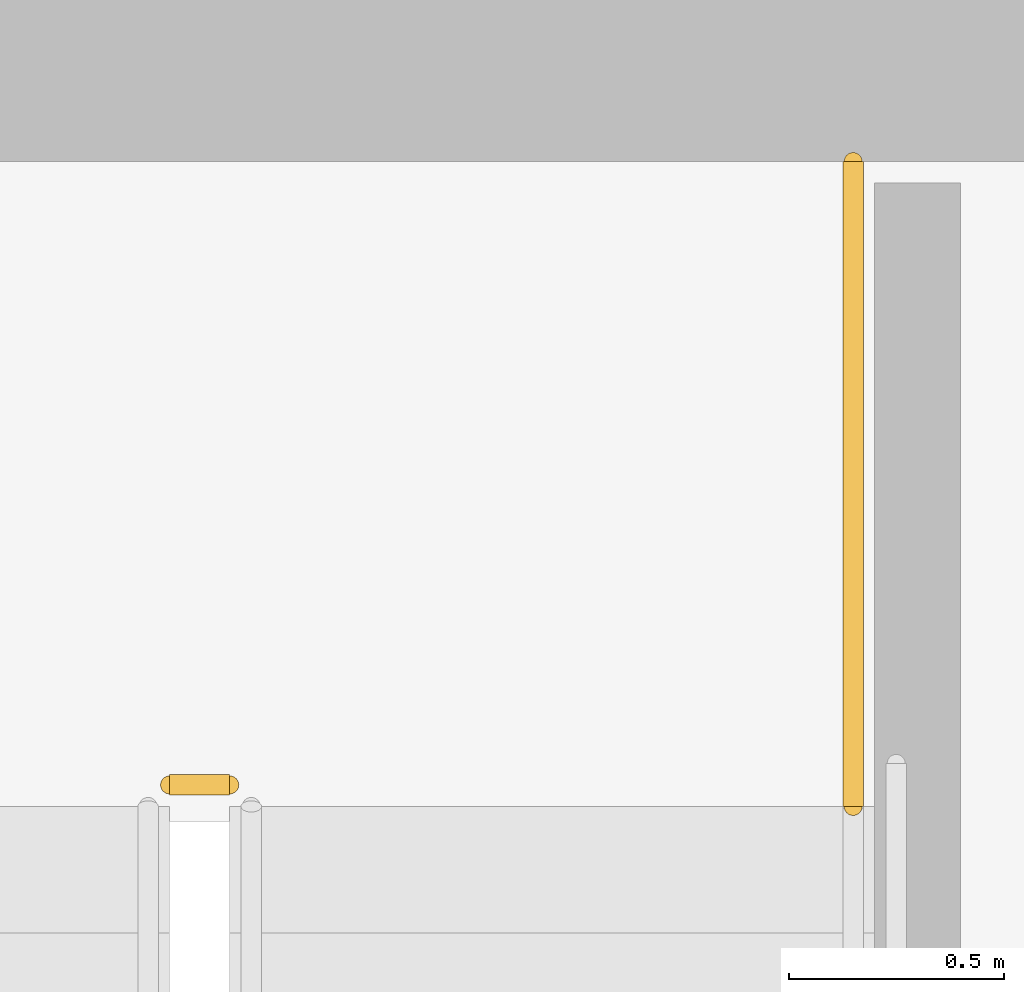
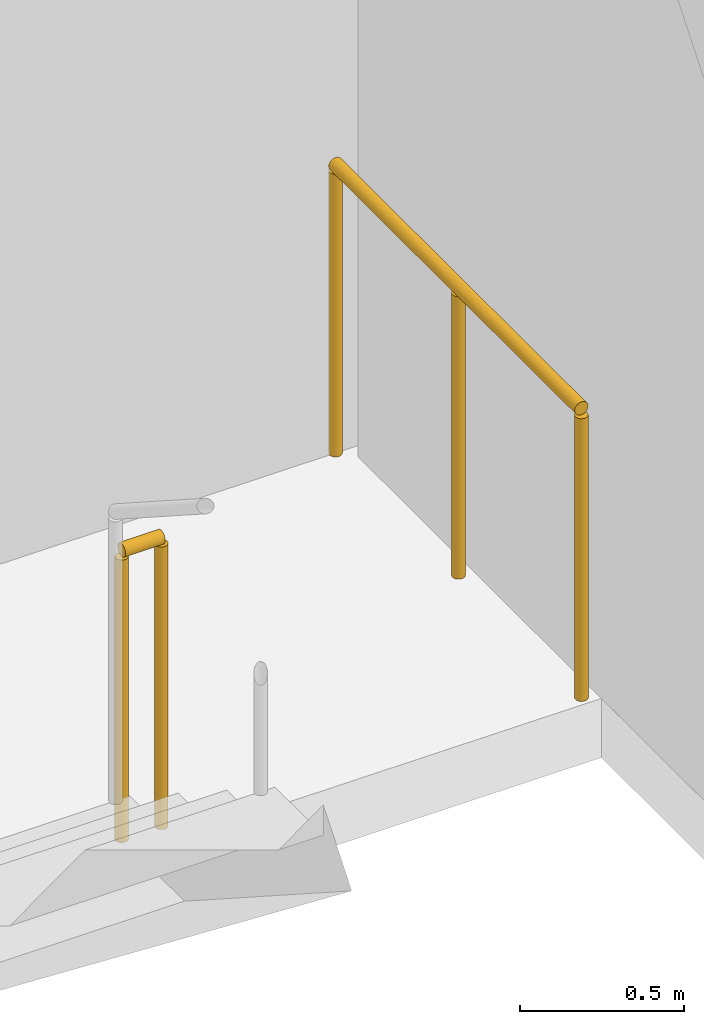
# One storey, part 31 of 31: 2 railings.
"""IFC4 building model written with IfcOpenShell, lengths in metres."""

import ifcopenshell
import ifcopenshell.guid

model = None  # the IFC model being written
_history = None  # IfcOwnerHistory: only IFC2X3 demands one
_inside = {}  # id of a spatial element -> (the spatial element, [elements in it])
_under = {}  # id of a project, library or spatial element -> (it, [spatial elements below it])
_declared = {}  # id of a project -> (the project, [libraries it declares])
_typed = {}  # id of a type object -> (the type object, [elements of that type])
_made_of = {}  # id of a material, layer set ... -> (it, [elements and type objects made of it])


def new_model(schema):
    """Start an empty IFC model of exactly this schema.

    Asked for "IFC4X3", IfcOpenShell would pick the latest addendum, in which some entities
    have other attributes; the version numbers below select the first issue.
    IFC2X3 requires an IfcOwnerHistory on every rooted entity: one is made here for all.
    """
    global model, _history
    if schema == "IFC4X3":
        model = ifcopenshell.file(schema_version=(4, 3, 0, 0))
    else:
        model = ifcopenshell.file(schema=schema)
    _inside.clear()
    _under.clear()
    _declared.clear()
    _typed.clear()
    _made_of.clear()
    _history = None
    if model.schema == "IFC2X3":
        org = make("IfcOrganization", Name="unknown")
        user = make(
            "IfcPersonAndOrganization",
            ThePerson=make("IfcPerson", FamilyName="unknown"),
            TheOrganization=org,
        )
        app = make(
            "IfcApplication",
            ApplicationDeveloper=org,
            Version="unknown",
            ApplicationFullName="unknown",
            ApplicationIdentifier="unknown",
        )
        _history = make(
            "IfcOwnerHistory",
            OwningUser=user,
            OwningApplication=app,
            ChangeAction="ADDED",
            CreationDate=0,
        )
    return model


def make(cls, **values):
    """One entity of the class cls with the attributes given. An attribute that is None is left unset."""
    return model.create_entity(
        cls, **{name: value for name, value in values.items() if value is not None}
    )


def rooted(cls, **values):
    """An entity with a GlobalId (a new one), such as an element, a storey or a relation."""
    return make(cls, GlobalId=ifcopenshell.guid.new(), OwnerHistory=_history, **values)


def si_unit(unit_type, name, prefix=None):
    """IfcSIUnit, for example si_unit("LENGTHUNIT", "METRE", prefix="MILLI")."""
    return make("IfcSIUnit", UnitType=unit_type, Prefix=prefix, Name=name)


def assignment(units):
    """IfcUnitAssignment: the units of a project."""
    return None if units is None else make("IfcUnitAssignment", Units=units)


def point(xyz):
    """IfcCartesianPoint."""
    return None if xyz is None else make("IfcCartesianPoint", Coordinates=xyz)


def direction(xyz):
    """IfcDirection."""
    return None if xyz is None else make("IfcDirection", DirectionRatios=xyz)


def frame(location, z_axis=None, x_axis=None):
    """IfcAxis2Placement3D, a coordinate frame: its origin and axes. An axis left out is left unset."""
    return make(
        "IfcAxis2Placement3D",
        Location=point(location),
        Axis=direction(z_axis),
        RefDirection=direction(x_axis),
    )


def frame_2d(location, x_axis=None):
    """IfcAxis2Placement2D, a coordinate frame in the plane: its origin and x axis."""
    return make(
        "IfcAxis2Placement2D", Location=point(location), RefDirection=direction(x_axis)
    )


def origin():
    """The frame at (0, 0, 0) with its axes left unset."""
    return frame((0.0, 0.0, 0.0))


def origin_2d():
    """The frame at (0, 0) in the plane with its x axis left unset."""
    return frame_2d((0.0, 0.0))


def place(relative_to, where):
    """IfcLocalPlacement: puts the frame where relative to a parent placement (None: the world)."""
    return make(
        "IfcLocalPlacement", PlacementRelTo=relative_to, RelativePlacement=where
    )


def context(
    kind, dimensions, precision=None, world=None, true_north=None, identifier=None
):
    """IfcGeometricRepresentationContext, for example the 3D "Model" context."""
    return make(
        "IfcGeometricRepresentationContext",
        ContextIdentifier=identifier,
        ContextType=kind,
        CoordinateSpaceDimension=dimensions,
        Precision=precision,
        WorldCoordinateSystem=world,
        TrueNorth=true_north,
    )


def subcontext(parent, identifier, kind, view, scale=None):
    """IfcGeometricRepresentationSubContext, for example "Body" below "Model"."""
    return make(
        "IfcGeometricRepresentationSubContext",
        ContextIdentifier=identifier,
        ContextType=kind,
        ParentContext=parent,
        TargetScale=scale,
        TargetView=view,
    )


def project(units=None, contexts=None):
    """IfcProject with its units and contexts."""
    return rooted(
        "IfcProject",
        Name="project",
        RepresentationContexts=contexts,
        UnitsInContext=assignment(units),
    )


def spatial(cls, under=None, at=None, **own):
    """A site, building, storey or space (cls), placed at a placement, below another one or the project."""
    s = rooted(cls, ObjectPlacement=at, **own)
    if under is not None:
        _under.setdefault(under.id(), (under, []))[1].append(s)
    return s


def profile(cls, at=None, kind="AREA", **sizes):
    """A parametric profile (cls). Its sizes go by their IFC names, for example OverallWidth=200.0."""
    return make(cls, ProfileType=kind, Position=at, **sizes)


def circle(**sizes):
    """IfcCircleProfileDef."""
    return profile("IfcCircleProfileDef", **sizes)


def extrude(swept, where, along, depth):
    """IfcExtrudedAreaSolid: the profile swept, set in the frame where, extruded along a direction by depth."""
    return make(
        "IfcExtrudedAreaSolid",
        SweptArea=swept,
        Position=where,
        ExtrudedDirection=direction(along),
        Depth=depth,
    )


def shape(context_of_items, identifier, shape_type, items):
    """IfcShapeRepresentation: the items that make up one representation, for example the "Body"."""
    return make(
        "IfcShapeRepresentation",
        ContextOfItems=context_of_items,
        RepresentationIdentifier=identifier,
        RepresentationType=shape_type,
        Items=items,
    )


def material(Name=None, Category=None):
    """IfcMaterial."""
    return make("IfcMaterial", Name=Name, Category=Category)


def layer(
    of_material, thickness, ventilated=None, Name=None, Category=None, Priority=None
):
    """IfcMaterialLayer: one layer of a wall or slab, of a material (None: an air gap)."""
    return make(
        "IfcMaterialLayer",
        Material=of_material,
        LayerThickness=thickness,
        IsVentilated=ventilated,
        Name=Name,
        Category=Category,
        Priority=Priority,
    )


def layer_set(layers, Name=None):
    """IfcMaterialLayerSet."""
    return make("IfcMaterialLayerSet", MaterialLayers=layers, LayerSetName=Name)


def made_of(thing, what):
    """Note that an element or type object is made of a material, layer set ...; save() writes the relation."""
    if what is not None:
        _made_of.setdefault(what.id(), (what, []))[1].append(thing)
    return thing


def type_object(cls, material=None, **own):
    """A type object (cls), such as IfcWallType, which elements share."""
    return made_of(rooted(cls, **own), material)


def element(
    cls,
    number,
    at=None,
    inside=None,
    cuts=None,
    type_object=None,
    material=None,
    context=None,
    identifier="Body",
    shape_type=None,
    held_by="IfcProductDefinitionShape",
    body=None,
    shapes=None,
    **own,
):
    """One element of the class cls, such as IfcWall. Its Tag is "e" and its number.

    at: its placement. inside: the storey or other place that contains it. cuts: it is an
    opening in that element (IfcRelVoidsElement). A single representation is given by context,
    identifier, shape_type and body (its items); several are given by shapes. held_by: the class
    of the entity that holds the representations. save() writes the other relations.
    """
    e = rooted(cls, Tag="e%d" % number, ObjectPlacement=at, **own)
    if body is not None:
        shapes = [shape(context, identifier, shape_type, body)]
    if shapes is not None:
        e.Representation = make(held_by, Representations=shapes)
    if inside is not None:
        _inside.setdefault(inside.id(), (inside, []))[1].append(e)
    if cuts is not None:
        rooted(
            "IfcRelVoidsElement", RelatingBuildingElement=cuts, RelatedOpeningElement=e
        )
    if type_object is not None:
        _typed.setdefault(type_object.id(), (type_object, []))[1].append(e)
    return made_of(e, material)


def aggregate(whole, parts):
    """IfcRelAggregates: a whole, such as a stair, and the parts it consists of."""
    return rooted("IfcRelAggregates", RelatingObject=whole, RelatedObjects=parts)


def save(model, path):
    """Write the relations noted so far, then the file.

    IfcRelAggregates (storeys below a building ...), IfcRelContainedInSpatialStructure (elements
    in a storey), IfcRelDefinesByType, IfcRelAssociatesMaterial and IfcRelDeclares: one each for
    every whole, place, type object, material and project.
    """
    for whole, parts in _under.values():
        aggregate(whole, parts)
    for where, things in _inside.values():
        rooted(
            "IfcRelContainedInSpatialStructure",
            RelatedElements=things,
            RelatingStructure=where,
        )
    for kind, things in _typed.values():
        rooted("IfcRelDefinesByType", RelatedObjects=things, RelatingType=kind)
    for what, things in _made_of.values():
        rooted("IfcRelAssociatesMaterial", RelatedObjects=things, RelatingMaterial=what)
    for by, libraries in _declared.values():
        rooted("IfcRelDeclares", RelatingContext=by, RelatedDefinitions=libraries)
    model.write(path)


model = new_model("IFC4")

# Units and contexts
model_context = context("Model", 3, precision=1e-05, world=origin(), true_north=direction((0.0, 1.0)))
body_context = subcontext(model_context, "Body", "Model", "MODEL_VIEW")
ifc_project = project(units=[si_unit("LENGTHUNIT", "METRE"), si_unit("AREAUNIT", "SQUARE_METRE"), si_unit("VOLUMEUNIT", "CUBIC_METRE"), si_unit("PLANEANGLEUNIT", "RADIAN"), si_unit("MASSUNIT", "GRAM", prefix="KILO")], contexts=[model_context])

# Site, building, storey
site_placement = place(None, origin())
site = spatial("IfcSite", under=ifc_project, at=site_placement, CompositionType="ELEMENT")
building_placement = place(site_placement, origin())
building = spatial("IfcBuilding", under=site, at=building_placement, Name="Ndaravel Arena Tower", CompositionType="ELEMENT")
storey_placement = place(building_placement, frame((0.0, 0.0, 142.199951171875)))
storey = spatial("IfcBuildingStorey", under=building, at=storey_placement, Name="L33", CompositionType="ELEMENT", Elevation=142.199951171875)

# Railings
ifc_material = material(Name="Steel S355", Category="steel")
ifc_layer = layer(ifc_material, 0.06005859375)
ifc_layer_set = layer_set([ifc_layer], Name="Steel S355")
railing_type = type_object("IfcRailingType", Name="RAIL-STAIR-GD1100", PredefinedType="GUARDRAIL", material=ifc_layer_set)
railing_1_placement = place(storey_placement, frame((55.10009765625, 13.300048828125, 0.0)))
element("IfcRailing", 1, at=railing_1_placement, inside=storey, type_object=railing_type, Name="L33 ST-3 stair guard 4", PredefinedType="GUARDRAIL", context=body_context, shape_type="SweptSolid", body=[
    extrude(circle(Radius=0.02392578125, at=origin_2d()), frame((0.0, 0.0, 1.076171875), z_axis=(1.0, 0.0, 0.0), x_axis=(0.0, 1.0, 0.0)), (0.0, 0.0, 1.0), 0.139892578125),
    extrude(circle(Radius=0.02099609375, at=origin_2d()), origin(), (0.0, 0.0, 1.0), 1.052001953125),
    extrude(circle(Radius=0.02099609375, at=origin_2d()), frame((0.139892578125, 0.0, 0.0)), (0.0, 0.0, 1.0), 1.052001953125),
])
railing_2_placement = place(storey_placement, frame((56.68994140625, 14.75, 0.0)))
element("IfcRailing", 2, at=railing_2_placement, inside=storey, type_object=railing_type, Name="L33 ST-3 stair guard 5", PredefinedType="GUARDRAIL", context=body_context, shape_type="SweptSolid", body=[
    extrude(circle(Radius=0.02392578125, at=origin_2d()), frame((0.0, 0.0, 1.076171875), z_axis=(0.0, -1.0, 0.0), x_axis=(1.0, 0.0, 0.0)), (0.0, 0.0, 1.0), 1.5),
    extrude(circle(Radius=0.02099609375, at=origin_2d()), origin(), (0.0, 0.0, 1.0), 1.052001953125),
    extrude(circle(Radius=0.02099609375, at=origin_2d()), frame((0.0, -0.75, 0.0)), (0.0, 0.0, 1.0), 1.052001953125),
    extrude(circle(Radius=0.02099609375, at=origin_2d()), frame((0.0, -1.5, 0.0)), (0.0, 0.0, 1.0), 1.052001953125),
])

save(model, "model.ifc")
